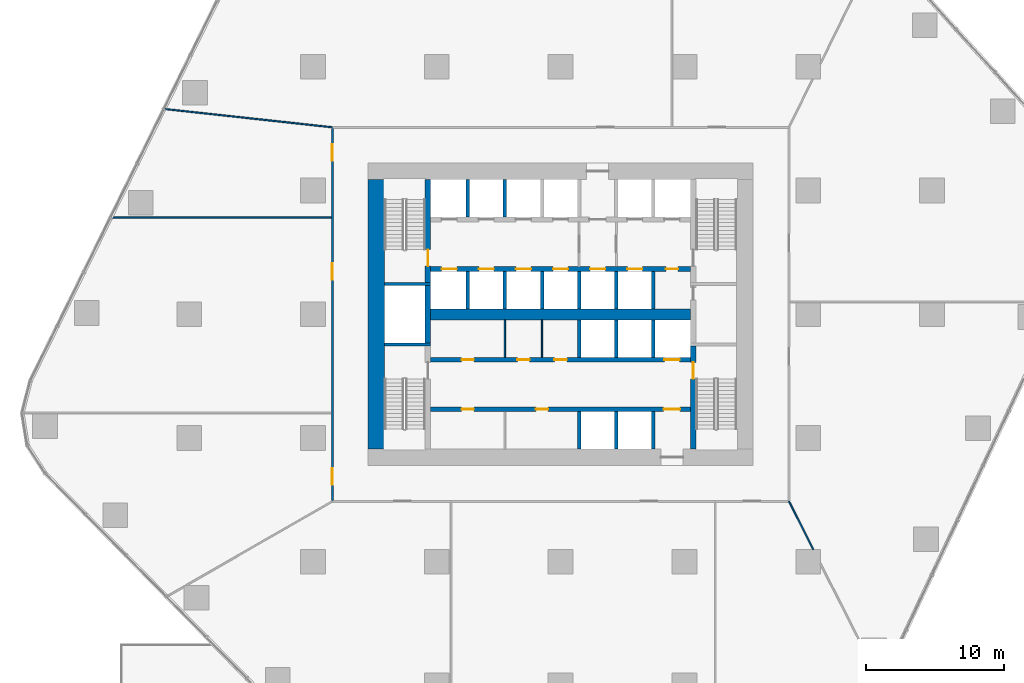
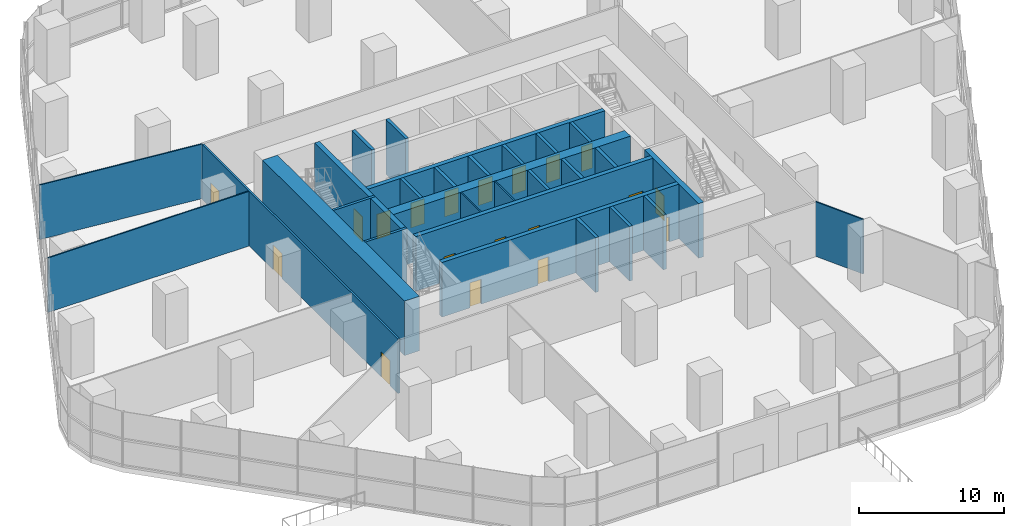
# One storey, part 11 of 15: 30 walls, 19 doors, 19 openings.
"""IFC4 building model written with IfcOpenShell, lengths in metres."""

from ifc_helpers import new_model, si_unit, direction, frame, frame_2d, origin, place, context, subcontext, project, spatial, rectangle, extrude, material, layer, layer_set, type_object, element, fill, save


model = new_model("IFC4")

# Units and contexts
model_context = context("Model", 3, precision=1e-05, world=origin(), true_north=direction((0.0, 1.0)))
body_context = subcontext(model_context, "Body", "Model", "MODEL_VIEW")
ifc_project = project(units=[si_unit("LENGTHUNIT", "METRE"), si_unit("AREAUNIT", "SQUARE_METRE"), si_unit("VOLUMEUNIT", "CUBIC_METRE"), si_unit("PLANEANGLEUNIT", "RADIAN"), si_unit("MASSUNIT", "GRAM", prefix="KILO")], contexts=[model_context])

# Site, building, storey
site_placement = place(None, origin())
site = spatial("IfcSite", under=ifc_project, at=site_placement, CompositionType="ELEMENT")
building_placement = place(site_placement, origin())
building = spatial("IfcBuilding", under=site, at=building_placement, Name="Dongbaek Canopy Tower", CompositionType="ELEMENT")
storey_placement = place(building_placement, frame((0.0, 0.0, 33.0)))
storey = spatial("IfcBuildingStorey", under=building, at=storey_placement, Name="L04", CompositionType="ELEMENT", Elevation=33.0)

# Wall
ifc_material_1 = material(Name="Concrete C60/75", Category="concrete")
ifc_layer_1 = layer(ifc_material_1, 0.800048828125)
ifc_layer_set_1 = layer_set([ifc_layer_1], Name="Core central wall 800 Concrete C60/75")
wall_type_1 = type_object("IfcWallType", Name="Core central wall 800 Concrete C60/75", PredefinedType="SHEAR", material=ifc_layer_set_1)
wall_1_placement = place(storey_placement, frame((-9.449951171875, 0.0, 0.0), z_axis=(0.0, 0.0, 1.0), x_axis=(1.0, 0.0, 0.0)))
element("IfcWall", 1, at=wall_1_placement, inside=storey, type_object=wall_type_1, Name="Core wall", PredefinedType="SHEAR", context=body_context, shape_type="SweptSolid", body=[
    extrude(rectangle(XDim=18.89990234375, YDim=0.800048828125, at=frame_2d((9.449951171875, 0.0))), origin(), (0.0, 0.0, 1.0), 4.60009765625),
])

# Wall, openings, doors
ifc_material_2 = material(Name="Concrete C60/75", Category="concrete")
ifc_layer_2 = layer(ifc_material_2, 0.35009765625)
ifc_layer_set_2 = layer_set([ifc_layer_2], Name="Core lobby wall 350 Concrete C60/75")
wall_type_2 = type_object("IfcWallType", Name="Core lobby wall 350 Concrete C60/75", PredefinedType="SHEAR", material=ifc_layer_set_2)
wall_2_placement = place(storey_placement, frame((9.449951171875, 3.300048828125, 0.0), z_axis=(0.0, 0.0, 1.0), x_axis=(-1.0, 0.0, 0.0)))
wall_2 = element("IfcWall", 2, at=wall_2_placement, inside=storey, type_object=wall_type_2, Name="Core wall", PredefinedType="SHEAR", context=body_context, shape_type="SweptSolid", body=[
    extrude(rectangle(XDim=18.89990234375, YDim=0.35009765625, at=frame_2d((9.449951171875, 0.0))), origin(), (0.0, 0.0, 1.0), 4.60009765625),
])
opening_1_placement = place(wall_2_placement, frame((17.0, 0.0, 0.0)))
opening_1 = element("IfcOpeningElement", 3, at=opening_1_placement, cuts=wall_2, Name="Opening L04-D020", PredefinedType="OPENING", context=body_context, shape_type="SweptSolid", body=[
    extrude(rectangle(XDim=1.10009765625, YDim=2.10009765625, at=frame_2d((0.550048828125, 1.050048828125))), frame((0.0, 0.18505859375, 0.0), z_axis=(0.0, -1.0, 0.0), x_axis=(1.0, 0.0, 0.0)), (0.0, 0.0, 1.0), 0.3701171875),
])
opening_2_placement = place(wall_2_placement, frame((14.300048828125, 0.0, 0.0)))
opening_2 = element("IfcOpeningElement", 4, at=opening_2_placement, cuts=wall_2, Name="Opening L04-D021", PredefinedType="OPENING", context=body_context, shape_type="SweptSolid", body=[
    extrude(rectangle(XDim=1.10009765625, YDim=2.10009765625, at=frame_2d((0.550048828125, 1.050048828125))), frame((0.0, 0.18505859375, 0.0), z_axis=(0.0, -1.0, 0.0), x_axis=(1.0, 0.0, 0.0)), (0.0, 0.0, 1.0), 0.3701171875),
])
opening_3_placement = place(wall_2_placement, frame((11.60009765625, 0.0, 0.0)))
opening_3 = element("IfcOpeningElement", 5, at=opening_3_placement, cuts=wall_2, Name="Opening L04-D022", PredefinedType="OPENING", context=body_context, shape_type="SweptSolid", body=[
    extrude(rectangle(XDim=1.10009765625, YDim=2.10009765625, at=frame_2d((0.550048828125, 1.050048828125))), frame((0.0, 0.18505859375, 0.0), z_axis=(0.0, -1.0, 0.0), x_axis=(1.0, 0.0, 0.0)), (0.0, 0.0, 1.0), 0.3701171875),
])
opening_4_placement = place(wall_2_placement, frame((8.89990234375, 0.0, 0.0)))
opening_4 = element("IfcOpeningElement", 6, at=opening_4_placement, cuts=wall_2, Name="Opening L04-D023", PredefinedType="OPENING", context=body_context, shape_type="SweptSolid", body=[
    extrude(rectangle(XDim=1.10009765625, YDim=2.10009765625, at=frame_2d((0.550048828125, 1.050048828125))), frame((0.0, 0.18505859375, 0.0), z_axis=(0.0, -1.0, 0.0), x_axis=(1.0, 0.0, 0.0)), (0.0, 0.0, 1.0), 0.3701171875),
])
opening_5_placement = place(wall_2_placement, frame((6.199951171875, 0.0, 0.0)))
opening_5 = element("IfcOpeningElement", 7, at=opening_5_placement, cuts=wall_2, Name="Opening L04-D024", PredefinedType="OPENING", context=body_context, shape_type="SweptSolid", body=[
    extrude(rectangle(XDim=1.10009765625, YDim=2.10009765625, at=frame_2d((0.550048828125, 1.050048828125))), frame((0.0, 0.18505859375, 0.0), z_axis=(0.0, -1.0, 0.0), x_axis=(1.0, 0.0, 0.0)), (0.0, 0.0, 1.0), 0.3701171875),
])
opening_6_placement = place(wall_2_placement, frame((3.5, 0.0, 0.0)))
opening_6 = element("IfcOpeningElement", 8, at=opening_6_placement, cuts=wall_2, Name="Opening L04-D025", PredefinedType="OPENING", context=body_context, shape_type="SweptSolid", body=[
    extrude(rectangle(XDim=1.10009765625, YDim=2.10009765625, at=frame_2d((0.550048828125, 1.050048828125))), frame((0.0, 0.18505859375, 0.0), z_axis=(0.0, -1.0, 0.0), x_axis=(1.0, 0.0, 0.0)), (0.0, 0.0, 1.0), 0.3701171875),
])
opening_7_placement = place(wall_2_placement, frame((0.89990234375, 0.0, 0.0)))
opening_7 = element("IfcOpeningElement", 9, at=opening_7_placement, cuts=wall_2, Name="Opening L04-D026", PredefinedType="OPENING", context=body_context, shape_type="SweptSolid", body=[
    extrude(rectangle(XDim=0.89990234375, YDim=2.10009765625, at=frame_2d((0.449951171875, 1.050048828125))), frame((0.0, 0.18505859375, 0.0), z_axis=(0.0, -1.0, 0.0), x_axis=(1.0, 0.0, 0.0)), (0.0, 0.0, 1.0), 0.3701171875),
])
ifc_material_3 = material(Name="Steel", Category="steel")
door_type_1 = type_object("IfcDoorType", Name="Core room door 900 x 2100", OperationType="SINGLE_SWING_LEFT", PredefinedType="DOOR", material=ifc_material_3)
door_1_placement = place(opening_7_placement, origin())
door_1 = element("IfcDoor", 10, at=door_1_placement, inside=storey, type_object=door_type_1, Name="Door L04-D026", OperationType="SINGLE_SWING_LEFT", OverallHeight=2.10009765625, OverallWidth=0.89990234375, PredefinedType="DOOR", context=body_context, shape_type="SweptSolid", body=[
    extrude(rectangle(XDim=0.89990234375, YDim=2.10009765625, at=frame_2d((0.449951171875, 1.050048828125))), frame((0.0, 0.02490234375, 0.0), z_axis=(0.0, -1.0, 0.0), x_axis=(1.0, 0.0, 0.0)), (0.0, 0.0, 1.0), 0.050048828125),
])
fill(opening_7, door_1)
ifc_material_4 = material(Name="Stainless steel", Category="steel")
door_type_2 = type_object("IfcDoorType", Name="Lift landing door 1100 x 2100", OperationType="DOUBLE_DOOR_SLIDING", PredefinedType="DOOR", material=ifc_material_4)
door_2_placement = place(opening_1_placement, origin())
door_2 = element("IfcDoor", 11, at=door_2_placement, inside=storey, type_object=door_type_2, Name="Landing door LR5", OperationType="DOUBLE_DOOR_SLIDING", OverallHeight=2.10009765625, OverallWidth=1.10009765625, PredefinedType="DOOR", context=body_context, shape_type="SweptSolid", body=[
    extrude(rectangle(XDim=1.10009765625, YDim=2.10009765625, at=frame_2d((0.550048828125, 1.050048828125))), frame((0.0, 0.02490234375, 0.0), z_axis=(0.0, -1.0, 0.0), x_axis=(1.0, 0.0, 0.0)), (0.0, 0.0, 1.0), 0.050048828125),
])
fill(opening_1, door_2)
door_3_placement = place(opening_2_placement, origin())
door_3 = element("IfcDoor", 12, at=door_3_placement, inside=storey, type_object=door_type_2, Name="Landing door LR6", OperationType="DOUBLE_DOOR_SLIDING", OverallHeight=2.10009765625, OverallWidth=1.10009765625, PredefinedType="DOOR", context=body_context, shape_type="SweptSolid", body=[
    extrude(rectangle(XDim=1.10009765625, YDim=2.10009765625, at=frame_2d((0.550048828125, 1.050048828125))), frame((0.0, 0.02490234375, 0.0), z_axis=(0.0, -1.0, 0.0), x_axis=(1.0, 0.0, 0.0)), (0.0, 0.0, 1.0), 0.050048828125),
])
fill(opening_2, door_3)
door_4_placement = place(opening_3_placement, origin())
door_4 = element("IfcDoor", 13, at=door_4_placement, inside=storey, type_object=door_type_2, Name="Landing door LR7", OperationType="DOUBLE_DOOR_SLIDING", OverallHeight=2.10009765625, OverallWidth=1.10009765625, PredefinedType="DOOR", context=body_context, shape_type="SweptSolid", body=[
    extrude(rectangle(XDim=1.10009765625, YDim=2.10009765625, at=frame_2d((0.550048828125, 1.050048828125))), frame((0.0, 0.02490234375, 0.0), z_axis=(0.0, -1.0, 0.0), x_axis=(1.0, 0.0, 0.0)), (0.0, 0.0, 1.0), 0.050048828125),
])
fill(opening_3, door_4)
door_5_placement = place(opening_4_placement, origin())
door_5 = element("IfcDoor", 14, at=door_5_placement, inside=storey, type_object=door_type_2, Name="Landing door LR8", OperationType="DOUBLE_DOOR_SLIDING", OverallHeight=2.10009765625, OverallWidth=1.10009765625, PredefinedType="DOOR", context=body_context, shape_type="SweptSolid", body=[
    extrude(rectangle(XDim=1.10009765625, YDim=2.10009765625, at=frame_2d((0.550048828125, 1.050048828125))), frame((0.0, 0.02490234375, 0.0), z_axis=(0.0, -1.0, 0.0), x_axis=(1.0, 0.0, 0.0)), (0.0, 0.0, 1.0), 0.050048828125),
])
fill(opening_4, door_5)
door_6_placement = place(opening_5_placement, origin())
door_6 = element("IfcDoor", 15, at=door_6_placement, inside=storey, type_object=door_type_2, Name="Landing door SV1", OperationType="DOUBLE_DOOR_SLIDING", OverallHeight=2.10009765625, OverallWidth=1.10009765625, PredefinedType="DOOR", context=body_context, shape_type="SweptSolid", body=[
    extrude(rectangle(XDim=1.10009765625, YDim=2.10009765625, at=frame_2d((0.550048828125, 1.050048828125))), frame((0.0, 0.02490234375, 0.0), z_axis=(0.0, -1.0, 0.0), x_axis=(1.0, 0.0, 0.0)), (0.0, 0.0, 1.0), 0.050048828125),
])
fill(opening_5, door_6)
door_7_placement = place(opening_6_placement, origin())
door_7 = element("IfcDoor", 16, at=door_7_placement, inside=storey, type_object=door_type_2, Name="Landing door FF3", OperationType="DOUBLE_DOOR_SLIDING", OverallHeight=2.10009765625, OverallWidth=1.10009765625, PredefinedType="DOOR", context=body_context, shape_type="SweptSolid", body=[
    extrude(rectangle(XDim=1.10009765625, YDim=2.10009765625, at=frame_2d((0.550048828125, 1.050048828125))), frame((0.0, 0.02490234375, 0.0), z_axis=(0.0, -1.0, 0.0), x_axis=(1.0, 0.0, 0.0)), (0.0, 0.0, 1.0), 0.050048828125),
])
fill(opening_6, door_7)

wall_3_placement = place(storey_placement, frame((-9.449951171875, -3.300048828125, 0.0), z_axis=(0.0, 0.0, 1.0), x_axis=(1.0, 0.0, 0.0)))
wall_3 = element("IfcWall", 17, at=wall_3_placement, inside=storey, type_object=wall_type_2, Name="Core wall", PredefinedType="SHEAR", context=body_context, shape_type="SweptSolid", body=[
    extrude(rectangle(XDim=18.89990234375, YDim=0.35009765625, at=frame_2d((9.449951171875, 0.0))), origin(), (0.0, 0.0, 1.0), 4.60009765625),
])
opening_8_placement = place(wall_3_placement, frame((17.0, 0.0, 0.0)))
opening_8 = element("IfcOpeningElement", 18, at=opening_8_placement, cuts=wall_3, Name="Opening L04-D027", PredefinedType="OPENING", context=body_context, shape_type="SweptSolid", body=[
    extrude(rectangle(XDim=1.10009765625, YDim=2.10009765625, at=frame_2d((0.550048828125, 1.050048828125))), frame((0.0, 0.18505859375, 0.0), z_axis=(0.0, -1.0, 0.0), x_axis=(1.0, 0.0, 0.0)), (0.0, 0.0, 1.0), 0.3701171875),
])
opening_9_placement = place(wall_3_placement, frame((2.25, 0.0, 0.0)))
opening_9 = element("IfcOpeningElement", 19, at=opening_9_placement, cuts=wall_3, Name="Opening L04-D030", PredefinedType="OPENING", context=body_context, shape_type="SweptSolid", body=[
    extrude(rectangle(XDim=0.89990234375, YDim=2.10009765625, at=frame_2d((0.449951171875, 1.050048828125))), frame((0.0, 0.18505859375, 0.0), z_axis=(0.0, -1.0, 0.0), x_axis=(1.0, 0.0, 0.0)), (0.0, 0.0, 1.0), 0.3701171875),
])
opening_10_placement = place(wall_3_placement, frame((6.300048828125, 0.0, 0.0)))
opening_10 = element("IfcOpeningElement", 20, at=opening_10_placement, cuts=wall_3, Name="Opening L04-D031", PredefinedType="OPENING", context=body_context, shape_type="SweptSolid", body=[
    extrude(rectangle(XDim=0.89990234375, YDim=2.10009765625, at=frame_2d((0.449951171875, 1.050048828125))), frame((0.0, 0.18505859375, 0.0), z_axis=(0.0, -1.0, 0.0), x_axis=(1.0, 0.0, 0.0)), (0.0, 0.0, 1.0), 0.3701171875),
])
opening_11_placement = place(wall_3_placement, frame((9.0, 0.0, 0.0)))
opening_11 = element("IfcOpeningElement", 21, at=opening_11_placement, cuts=wall_3, Name="Opening L04-D032", PredefinedType="OPENING", context=body_context, shape_type="SweptSolid", body=[
    extrude(rectangle(XDim=0.89990234375, YDim=2.10009765625, at=frame_2d((0.449951171875, 1.050048828125))), frame((0.0, 0.18505859375, 0.0), z_axis=(0.0, -1.0, 0.0), x_axis=(1.0, 0.0, 0.0)), (0.0, 0.0, 1.0), 0.3701171875),
])
door_8_placement = place(opening_9_placement, origin())
door_8 = element("IfcDoor", 22, at=door_8_placement, inside=storey, type_object=door_type_1, Name="Door L04-D030", OperationType="SINGLE_SWING_RIGHT", OverallHeight=2.10009765625, OverallWidth=0.89990234375, PredefinedType="DOOR", context=body_context, shape_type="SweptSolid", body=[
    extrude(rectangle(XDim=0.89990234375, YDim=2.10009765625, at=frame_2d((0.449951171875, 1.050048828125))), frame((0.0, 0.02490234375, 0.0), z_axis=(0.0, -1.0, 0.0), x_axis=(1.0, 0.0, 0.0)), (0.0, 0.0, 1.0), 0.050048828125),
])
fill(opening_9, door_8)
door_9_placement = place(opening_10_placement, origin())
door_9 = element("IfcDoor", 23, at=door_9_placement, inside=storey, type_object=door_type_1, Name="Door L04-D031", OperationType="SINGLE_SWING_LEFT", OverallHeight=2.10009765625, OverallWidth=0.89990234375, PredefinedType="DOOR", context=body_context, shape_type="SweptSolid", body=[
    extrude(rectangle(XDim=0.89990234375, YDim=2.10009765625, at=frame_2d((0.449951171875, 1.050048828125))), frame((0.0, 0.02490234375, 0.0), z_axis=(0.0, -1.0, 0.0), x_axis=(1.0, 0.0, 0.0)), (0.0, 0.0, 1.0), 0.050048828125),
])
fill(opening_10, door_9)
door_10_placement = place(opening_11_placement, origin())
door_10 = element("IfcDoor", 24, at=door_10_placement, inside=storey, type_object=door_type_1, Name="Door L04-D032", OperationType="SINGLE_SWING_RIGHT", OverallHeight=2.10009765625, OverallWidth=0.89990234375, PredefinedType="DOOR", context=body_context, shape_type="SweptSolid", body=[
    extrude(rectangle(XDim=0.89990234375, YDim=2.10009765625, at=frame_2d((0.449951171875, 1.050048828125))), frame((0.0, 0.02490234375, 0.0), z_axis=(0.0, -1.0, 0.0), x_axis=(1.0, 0.0, 0.0)), (0.0, 0.0, 1.0), 0.050048828125),
])
fill(opening_11, door_10)
door_11_placement = place(opening_8_placement, origin())
door_11 = element("IfcDoor", 25, at=door_11_placement, inside=storey, type_object=door_type_2, Name="Landing door SV2", OperationType="DOUBLE_DOOR_SLIDING", OverallHeight=2.10009765625, OverallWidth=1.10009765625, PredefinedType="DOOR", context=body_context, shape_type="SweptSolid", body=[
    extrude(rectangle(XDim=1.10009765625, YDim=2.10009765625, at=frame_2d((0.550048828125, 1.050048828125))), frame((0.0, 0.02490234375, 0.0), z_axis=(0.0, -1.0, 0.0), x_axis=(1.0, 0.0, 0.0)), (0.0, 0.0, 1.0), 0.050048828125),
])
fill(opening_8, door_11)

wall_4_placement = place(storey_placement, frame((9.449951171875, -6.89990234375, 0.0), z_axis=(0.0, 0.0, 1.0), x_axis=(-1.0, 0.0, 0.0)))
wall_4 = element("IfcWall", 26, at=wall_4_placement, inside=storey, type_object=wall_type_2, Name="Core wall", PredefinedType="SHEAR", context=body_context, shape_type="SweptSolid", body=[
    extrude(rectangle(XDim=18.89990234375, YDim=0.35009765625, at=frame_2d((9.449951171875, 0.0))), origin(), (0.0, 0.0, 1.0), 4.60009765625),
])
opening_12_placement = place(wall_4_placement, frame((0.75, 0.0, 0.0)))
opening_12 = element("IfcOpeningElement", 27, at=opening_12_placement, cuts=wall_4, Name="Opening L04-D029", PredefinedType="OPENING", context=body_context, shape_type="SweptSolid", body=[
    extrude(rectangle(XDim=1.199951171875, YDim=2.10009765625, at=frame_2d((0.60009765625, 1.050048828125))), frame((0.0, 0.18505859375, 0.0), z_axis=(0.0, -1.0, 0.0), x_axis=(1.0, 0.0, 0.0)), (0.0, 0.0, 1.0), 0.3701171875),
])
opening_13_placement = place(wall_4_placement, frame((15.75, 0.0, 0.0)))
opening_13 = element("IfcOpeningElement", 28, at=opening_13_placement, cuts=wall_4, Name="Opening L04-D033", PredefinedType="OPENING", context=body_context, shape_type="SweptSolid", body=[
    extrude(rectangle(XDim=0.89990234375, YDim=2.10009765625, at=frame_2d((0.449951171875, 1.050048828125))), frame((0.0, 0.18505859375, 0.0), z_axis=(0.0, -1.0, 0.0), x_axis=(1.0, 0.0, 0.0)), (0.0, 0.0, 1.0), 0.3701171875),
])
opening_14_placement = place(wall_4_placement, frame((10.35009765625, 0.0, 0.0)))
opening_14 = element("IfcOpeningElement", 29, at=opening_14_placement, cuts=wall_4, Name="Opening L04-D034", PredefinedType="OPENING", context=body_context, shape_type="SweptSolid", body=[
    extrude(rectangle(XDim=0.89990234375, YDim=2.10009765625, at=frame_2d((0.449951171875, 1.050048828125))), frame((0.0, 0.18505859375, 0.0), z_axis=(0.0, -1.0, 0.0), x_axis=(1.0, 0.0, 0.0)), (0.0, 0.0, 1.0), 0.3701171875),
])
door_12_placement = place(opening_13_placement, origin())
door_12 = element("IfcDoor", 30, at=door_12_placement, inside=storey, type_object=door_type_1, Name="Door L04-D033", OperationType="SINGLE_SWING_LEFT", OverallHeight=2.10009765625, OverallWidth=0.89990234375, PredefinedType="DOOR", context=body_context, shape_type="SweptSolid", body=[
    extrude(rectangle(XDim=0.89990234375, YDim=2.10009765625, at=frame_2d((0.449951171875, 1.050048828125))), frame((0.0, 0.02490234375, 0.0), z_axis=(0.0, -1.0, 0.0), x_axis=(1.0, 0.0, 0.0)), (0.0, 0.0, 1.0), 0.050048828125),
])
fill(opening_13, door_12)
door_13_placement = place(opening_14_placement, origin())
door_13 = element("IfcDoor", 31, at=door_13_placement, inside=storey, type_object=door_type_1, Name="Door L04-D034", OperationType="SINGLE_SWING_RIGHT", OverallHeight=2.10009765625, OverallWidth=0.89990234375, PredefinedType="DOOR", context=body_context, shape_type="SweptSolid", body=[
    extrude(rectangle(XDim=0.89990234375, YDim=2.10009765625, at=frame_2d((0.449951171875, 1.050048828125))), frame((0.0, 0.02490234375, 0.0), z_axis=(0.0, -1.0, 0.0), x_axis=(1.0, 0.0, 0.0)), (0.0, 0.0, 1.0), 0.050048828125),
])
fill(opening_14, door_13)
ifc_material_5 = material(Name="Steel", Category="steel")
door_type_3 = type_object("IfcDoorType", Name="Fire lobby door 1200 x 2100", OperationType="SINGLE_SWING_LEFT", PredefinedType="DOOR", material=ifc_material_5)
door_14_placement = place(opening_12_placement, origin())
door_14 = element("IfcDoor", 32, at=door_14_placement, inside=storey, type_object=door_type_3, Name="Door L04-D029", OperationType="SINGLE_SWING_LEFT", OverallHeight=2.10009765625, OverallWidth=1.199951171875, PredefinedType="DOOR", context=body_context, shape_type="SweptSolid", body=[
    extrude(rectangle(XDim=1.199951171875, YDim=2.10009765625, at=frame_2d((0.60009765625, 1.050048828125))), frame((0.0, 0.02490234375, 0.0), z_axis=(0.0, -1.0, 0.0), x_axis=(1.0, 0.0, 0.0)), (0.0, 0.0, 1.0), 0.050048828125),
])
fill(opening_12, door_14)

# Wall
ifc_material_6 = material(Name="Concrete C60/75", Category="concrete")
ifc_layer_3 = layer(ifc_material_6, 1.199951171875)
ifc_layer_set_3 = layer_set([ifc_layer_3], Name="Core outer wall 1200 Concrete C60/75")
wall_type_3 = type_object("IfcWallType", Name="Core outer wall 1200 Concrete C60/75", PredefinedType="SHEAR", material=ifc_layer_set_3)
wall_5_placement = place(storey_placement, frame((-13.39990234375, -9.800048828125, 0.0), z_axis=(0.0, 0.0, 1.0), x_axis=(0.0, 1.0, 0.0)))
element("IfcWall", 33, at=wall_5_placement, inside=storey, type_object=wall_type_3, Name="Core wall", PredefinedType="SHEAR", context=body_context, shape_type="SweptSolid", body=[
    extrude(rectangle(XDim=19.60009765625, YDim=1.199951171875, at=frame_2d((9.800048828125, 0.0))), origin(), (0.0, 0.0, 1.0), 4.60009765625),
])

# Wall, openings, doors
ifc_material_7 = material(Name="Gypsum board partition, steel stud, 2 x 15 mm fire board", Category="steel")
ifc_layer_4 = layer(ifc_material_7, 0.14990234375)
ifc_layer_set_4 = layer_set([ifc_layer_4], Name="Fire-rated partition 150 gypsum board")
wall_type_4 = type_object("IfcWallType", Name="Fire-rated partition 150 gypsum board", PredefinedType="PARTITIONING", material=ifc_layer_set_4)
wall_6_placement = place(storey_placement, frame((-16.60009765625, -13.52490234375, 0.0), z_axis=(0.0, 0.0, 1.0), x_axis=(0.0, 1.0, 0.0)))
wall_6 = element("IfcWall", 34, at=wall_6_placement, inside=storey, type_object=wall_type_4, Name="Corridor partition", PredefinedType="PARTITIONING", context=body_context, shape_type="SweptSolid", body=[
    extrude(rectangle(XDim=27.0498046875, YDim=0.14990234375, at=frame_2d((13.52490234375, 0.0))), origin(), (0.0, 0.0, 1.0), 4.60009765625),
])
opening_15_placement = place(wall_6_placement, frame((16.02783203125, 0.0, 0.0)))
opening_15 = element("IfcOpeningElement", 35, at=opening_15_placement, cuts=wall_6, Name="Opening L04-D001", PredefinedType="OPENING", context=body_context, shape_type="SweptSolid", body=[
    extrude(rectangle(XDim=1.199951171875, YDim=2.10009765625, at=frame_2d((0.60009765625, 1.050048828125))), frame((0.0, 0.0849609375, 0.0), z_axis=(0.0, -1.0, 0.0), x_axis=(1.0, 0.0, 0.0)), (0.0, 0.0, 1.0), 0.169921875),
])
opening_16_placement = place(wall_6_placement, frame((1.121337890625, 0.0, 0.0)))
opening_16 = element("IfcOpeningElement", 36, at=opening_16_placement, cuts=wall_6, Name="Opening L04-D002", PredefinedType="OPENING", context=body_context, shape_type="SweptSolid", body=[
    extrude(rectangle(XDim=1.199951171875, YDim=2.10009765625, at=frame_2d((0.60009765625, 1.050048828125))), frame((0.0, 0.0849609375, 0.0), z_axis=(0.0, -1.0, 0.0), x_axis=(1.0, 0.0, 0.0)), (0.0, 0.0, 1.0), 0.169921875),
])
opening_17_placement = place(wall_6_placement, frame((24.705078125, 0.0, 0.0)))
opening_17 = element("IfcOpeningElement", 37, at=opening_17_placement, cuts=wall_6, Name="Opening L04-D010", PredefinedType="OPENING", context=body_context, shape_type="SweptSolid", body=[
    extrude(rectangle(XDim=1.199951171875, YDim=2.10009765625, at=frame_2d((0.60009765625, 1.050048828125))), frame((0.0, 0.0849609375, 0.0), z_axis=(0.0, -1.0, 0.0), x_axis=(1.0, 0.0, 0.0)), (0.0, 0.0, 1.0), 0.169921875),
])
ifc_material_8 = material(Name="Timber veneered door leaf", Category="wood")
door_type_4 = type_object("IfcDoorType", Name="Room door 1200 x 2100", OperationType="SINGLE_SWING_LEFT", PredefinedType="DOOR", material=ifc_material_8)
door_15_placement = place(opening_15_placement, origin())
door_15 = element("IfcDoor", 38, at=door_15_placement, inside=storey, type_object=door_type_4, Name="Door L04-D001", OperationType="SINGLE_SWING_RIGHT", OverallHeight=2.10009765625, OverallWidth=1.199951171875, PredefinedType="DOOR", context=body_context, shape_type="SweptSolid", body=[
    extrude(rectangle(XDim=1.199951171875, YDim=2.10009765625, at=frame_2d((0.60009765625, 1.050048828125))), frame((0.0, 0.02490234375, 0.0), z_axis=(0.0, -1.0, 0.0), x_axis=(1.0, 0.0, 0.0)), (0.0, 0.0, 1.0), 0.050048828125),
])
fill(opening_15, door_15)
door_16_placement = place(opening_16_placement, origin())
door_16 = element("IfcDoor", 39, at=door_16_placement, inside=storey, type_object=door_type_4, Name="Door L04-D002", OperationType="SINGLE_SWING_LEFT", OverallHeight=2.10009765625, OverallWidth=1.199951171875, PredefinedType="DOOR", context=body_context, shape_type="SweptSolid", body=[
    extrude(rectangle(XDim=1.199951171875, YDim=2.10009765625, at=frame_2d((0.60009765625, 1.050048828125))), frame((0.0, 0.02490234375, 0.0), z_axis=(0.0, -1.0, 0.0), x_axis=(1.0, 0.0, 0.0)), (0.0, 0.0, 1.0), 0.050048828125),
])
fill(opening_16, door_16)
door_17_placement = place(opening_17_placement, origin())
door_17 = element("IfcDoor", 40, at=door_17_placement, inside=storey, type_object=door_type_4, Name="Door L04-D010", OperationType="SINGLE_SWING_LEFT", OverallHeight=2.10009765625, OverallWidth=1.199951171875, PredefinedType="DOOR", context=body_context, shape_type="SweptSolid", body=[
    extrude(rectangle(XDim=1.199951171875, YDim=2.10009765625, at=frame_2d((0.60009765625, 1.050048828125))), frame((0.0, 0.02490234375, 0.0), z_axis=(0.0, -1.0, 0.0), x_axis=(1.0, 0.0, 0.0)), (0.0, 0.0, 1.0), 0.050048828125),
])
fill(opening_17, door_17)

# Walls
ifc_material_9 = material(Name="Concrete C40/50", Category="concrete")
ifc_layer_5 = layer(ifc_material_9, 0.25)
ifc_layer_set_5 = layer_set([ifc_layer_5], Name="Lift shaft wall 250 Concrete C40/50")
wall_type_5 = type_object("IfcWallType", Name="Lift shaft wall 250 Concrete C40/50", PredefinedType="SOLIDWALL", material=ifc_layer_set_5)
for number, where, z_axis, x_axis, name in (
    (41, (6.75, -9.800048828125, 0.0), (0.0, 0.0, 1.0), (0.0, 1.0, 0.0), "Lift shaft wall"),
    (42, (6.75, -3.125, 0.0), (0.0, 0.0, 1.0), (0.0, 1.0, 0.0), "Lift shaft wall"),
    (43, (6.75, 0.39990234375, 0.0), (0.0, 0.0, 1.0), (0.0, 1.0, 0.0), "Lift shaft wall"),
    (44, (4.050048828125, -9.800048828125, 0.0), (0.0, 0.0, 1.0), (0.0, 1.0, 0.0), "Lift shaft wall"),
    (45, (4.050048828125, -3.125, 0.0), (0.0, 0.0, 1.0), (0.0, 1.0, 0.0), "Lift shaft wall"),
    (46, (4.050048828125, 0.39990234375, 0.0), (0.0, 0.0, 1.0), (0.0, 1.0, 0.0), "Lift shaft wall"),
    (47, (1.35009765625, -9.800048828125, 0.0), (0.0, 0.0, 1.0), (0.0, 1.0, 0.0), "Lift shaft wall"),
    (48, (1.35009765625, -3.125, 0.0), (0.0, 0.0, 1.0), (0.0, 1.0, 0.0), "Lift shaft wall"),
    (49, (1.35009765625, 0.39990234375, 0.0), (0.0, 0.0, 1.0), (0.0, 1.0, 0.0), "Lift shaft wall"),
    (50, (-1.35009765625, 0.39990234375, 0.0), (0.0, 0.0, 1.0), (0.0, 1.0, 0.0), "Lift shaft wall"),
    (51, (-4.050048828125, 0.39990234375, 0.0), (0.0, 0.0, 1.0), (0.0, 1.0, 0.0), "Lift shaft wall"),
    (52, (-4.050048828125, 7.074951171875, 0.0), (0.0, 0.0, 1.0), (0.0, 1.0, 0.0), "Lift shaft wall"),
    (53, (-6.75, 0.39990234375, 0.0), (0.0, 0.0, 1.0), (0.0, 1.0, 0.0), "Lift shaft wall"),
    (54, (-6.75, 7.074951171875, 0.0), (0.0, 0.0, 1.0), (0.0, 1.0, 0.0), "Lift shaft wall"),
):
    element("IfcWall", number, at=place(storey_placement, frame(where, z_axis=z_axis, x_axis=x_axis)), inside=storey, type_object=wall_type_5, Name=name, PredefinedType="SOLIDWALL", context=body_context, shape_type="SweptSolid", body=[
        extrude(rectangle(XDim=2.72509765625, YDim=0.25, at=frame_2d((1.362548828125, 0.0))), origin(), (0.0, 0.0, 1.0), 4.60009765625),
    ])
ifc_material_10 = material(Name="Gypsum board partition, steel stud, 2 x 12.5 mm board", Category="steel")
ifc_layer_6 = layer(ifc_material_10, 0.10009765625)
ifc_layer_set_6 = layer_set([ifc_layer_6], Name="Partition 100 gypsum board")
wall_type_6 = type_object("IfcWallType", Name="Partition 100 gypsum board", PredefinedType="PARTITIONING", material=ifc_layer_set_6)
wall_7_placement = place(storey_placement, frame((-32.6953125, 7.051025390625, 0.0), z_axis=(0.0, 0.0, 1.0), x_axis=(1.0, 0.0, 0.0)))
element("IfcWall", 55, at=wall_7_placement, inside=storey, type_object=wall_type_6, Name="Partition", PredefinedType="PARTITIONING", context=body_context, shape_type="SweptSolid", body=[
    extrude(rectangle(XDim=16.020263671875, YDim=0.10009765625, at=frame_2d((8.01025390625, 0.0))), origin(), (0.0, 0.0, 1.0), 4.60009765625),
])
wall_8_placement = place(storey_placement, frame((16.60009765625, -13.599853515625, 0.0), z_axis=(0.0, 0.0, 1.0), x_axis=(0.451663698234, -0.892188266958, 0.0)))
element("IfcWall", 56, at=wall_8_placement, inside=storey, type_object=wall_type_6, Name="Partition", PredefinedType="PARTITIONING", context=body_context, shape_type="SweptSolid", body=[
    extrude(rectangle(XDim=3.923095703125, YDim=0.10009765625, at=frame_2d((1.96142578125, 0.0))), origin(), (0.0, 0.0, 1.0), 4.60009765625),
])
wall_9_placement = place(storey_placement, frame((-28.819091796875, 14.931396484375, 0.0), z_axis=(0.0, 0.0, 1.0), x_axis=(0.994112645196, -0.108351505116, 0.0)))
element("IfcWall", 57, at=wall_9_placement, inside=storey, type_object=wall_type_6, Name="Partition", PredefinedType="PARTITIONING", context=body_context, shape_type="SweptSolid", body=[
    extrude(rectangle(XDim=12.291259765625, YDim=0.10009765625, at=frame_2d((6.1455078125, 0.0))), origin(), (0.0, 0.0, 1.0), 4.60009765625),
])
for number, where, z_axis, x_axis, name in (
    (58, (-1.35009765625, -3.125, 0.0), (0.0, 0.0, 1.0), (0.0, 1.0, 0.0), "Core partition"),
    (59, (-4.050048828125, -3.125, 0.0), (0.0, 0.0, 1.0), (0.0, 1.0, 0.0), "Core partition"),
):
    element("IfcWall", number, at=place(storey_placement, frame(where, z_axis=z_axis, x_axis=x_axis)), inside=storey, type_object=wall_type_6, Name=name, PredefinedType="PARTITIONING", context=body_context, shape_type="SweptSolid", body=[
        extrude(rectangle(XDim=2.72509765625, YDim=0.10009765625, at=frame_2d((1.362548828125, 0.0))), origin(), (0.0, 0.0, 1.0), 4.60009765625),
    ])
ifc_material_11 = material(Name="Concrete C60/75", Category="concrete")
ifc_layer_7 = layer(ifc_material_11, 0.199951171875)
ifc_layer_set_7 = layer_set([ifc_layer_7], Name="Riser wall 200 Concrete C60/75")
wall_type_7 = type_object("IfcWallType", Name="Riser wall 200 Concrete C60/75", PredefinedType="SHEAR", material=ifc_layer_set_7)
for number, where, z_axis, x_axis, name in (
    (60, (-9.449951171875, 2.199951171875, 0.0), (0.0, 0.0, 1.0), (-1.0, 0.0, 0.0), "Riser wall"),
    (61, (-9.449951171875, -2.199951171875, 0.0), (0.0, 0.0, 1.0), (-1.0, 0.0, 0.0), "Riser wall"),
):
    element("IfcWall", number, at=place(storey_placement, frame(where, z_axis=z_axis, x_axis=x_axis)), inside=storey, type_object=wall_type_7, Name=name, PredefinedType="SHEAR", context=body_context, shape_type="SweptSolid", body=[
        extrude(rectangle(XDim=3.35009765625, YDim=0.199951171875, at=frame_2d((1.675048828125, 0.0))), origin(), (0.0, 0.0, 1.0), 4.60009765625),
    ])

# Wall, opening, door
ifc_material_12 = material(Name="Concrete C60/75", Category="concrete")
ifc_layer_8 = layer(ifc_material_12, 0.39990234375)
ifc_layer_set_8 = layer_set([ifc_layer_8], Name="Stair wall 400 Concrete C60/75")
wall_type_8 = type_object("IfcWallType", Name="Stair wall 400 Concrete C60/75", PredefinedType="SHEAR", material=ifc_layer_set_8)
wall_10_placement = place(storey_placement, frame((9.64990234375, -2.300048828125, 0.0), z_axis=(0.0, 0.0, 1.0), x_axis=(0.0, -1.0, 0.0)))
wall_10 = element("IfcWall", 62, at=wall_10_placement, inside=storey, type_object=wall_type_8, Name="Stair wall", PredefinedType="SHEAR", context=body_context, shape_type="SweptSolid", body=[
    extrude(rectangle(XDim=7.5, YDim=0.39990234375, at=frame_2d((3.75, 0.0))), origin(), (0.0, 0.0, 1.0), 4.60009765625),
])
opening_18_placement = place(wall_10_placement, frame((1.199951171875, 0.0, 0.0)))
opening_18 = element("IfcOpeningElement", 63, at=opening_18_placement, cuts=wall_10, Name="Opening L04-D037", PredefinedType="OPENING", context=body_context, shape_type="SweptSolid", body=[
    extrude(rectangle(XDim=1.199951171875, YDim=2.10009765625, at=frame_2d((0.60009765625, 1.050048828125))), frame((0.0, 0.2099609375, 0.0), z_axis=(0.0, -1.0, 0.0), x_axis=(1.0, 0.0, 0.0)), (0.0, 0.0, 1.0), 0.419921875),
])
ifc_material_13 = material(Name="Steel", Category="steel")
door_type_5 = type_object("IfcDoorType", Name="Stair door 1200 x 2100", OperationType="SINGLE_SWING_LEFT", PredefinedType="DOOR", material=ifc_material_13)
door_18_placement = place(opening_18_placement, origin())
door_18 = element("IfcDoor", 64, at=door_18_placement, inside=storey, type_object=door_type_5, Name="Stair B door", OperationType="SINGLE_SWING_RIGHT", OverallHeight=2.10009765625, OverallWidth=1.199951171875, PredefinedType="DOOR", context=body_context, shape_type="SweptSolid", body=[
    extrude(rectangle(XDim=1.199951171875, YDim=2.10009765625, at=frame_2d((0.60009765625, 1.050048828125))), frame((0.0, 0.02490234375, 0.0), z_axis=(0.0, -1.0, 0.0), x_axis=(1.0, 0.0, 0.0)), (0.0, 0.0, 1.0), 0.050048828125),
])
fill(opening_18, door_18)

# Wall
wall_11_placement = place(storey_placement, frame((-9.64990234375, -2.10009765625, 0.0), z_axis=(0.0, 0.0, 1.0), x_axis=(0.0, 1.0, 0.0)))
element("IfcWall", 65, at=wall_11_placement, inside=storey, type_object=wall_type_8, Name="Stair wall", PredefinedType="SHEAR", context=body_context, shape_type="SweptSolid", body=[
    extrude(rectangle(XDim=4.2001953125, YDim=0.39990234375, at=frame_2d((2.10009765625, 0.0))), origin(), (0.0, 0.0, 1.0), 4.60009765625),
])

# Wall, opening, door
wall_12_placement = place(storey_placement, frame((-9.64990234375, 2.300048828125, 0.0), z_axis=(0.0, 0.0, 1.0), x_axis=(0.0, 1.0, 0.0)))
wall_12 = element("IfcWall", 66, at=wall_12_placement, inside=storey, type_object=wall_type_8, Name="Stair wall", PredefinedType="SHEAR", context=body_context, shape_type="SweptSolid", body=[
    extrude(rectangle(XDim=7.5, YDim=0.39990234375, at=frame_2d((3.75, 0.0))), origin(), (0.0, 0.0, 1.0), 4.60009765625),
])
opening_19_placement = place(wall_12_placement, frame((1.199951171875, 0.0, 0.0)))
opening_19 = element("IfcOpeningElement", 67, at=opening_19_placement, cuts=wall_12, Name="Opening L04-D036", PredefinedType="OPENING", context=body_context, shape_type="SweptSolid", body=[
    extrude(rectangle(XDim=1.199951171875, YDim=2.10009765625, at=frame_2d((0.60009765625, 1.050048828125))), frame((0.0, 0.2099609375, 0.0), z_axis=(0.0, -1.0, 0.0), x_axis=(1.0, 0.0, 0.0)), (0.0, 0.0, 1.0), 0.419921875),
])
door_19_placement = place(opening_19_placement, origin())
door_19 = element("IfcDoor", 68, at=door_19_placement, inside=storey, type_object=door_type_5, Name="Stair C door", OperationType="SINGLE_SWING_RIGHT", OverallHeight=2.10009765625, OverallWidth=1.199951171875, PredefinedType="DOOR", context=body_context, shape_type="SweptSolid", body=[
    extrude(rectangle(XDim=1.199951171875, YDim=2.10009765625, at=frame_2d((0.60009765625, 1.050048828125))), frame((0.0, 0.02490234375, 0.0), z_axis=(0.0, -1.0, 0.0), x_axis=(1.0, 0.0, 0.0)), (0.0, 0.0, 1.0), 0.050048828125),
])
fill(opening_19, door_19)

save(model, "model.ifc")
